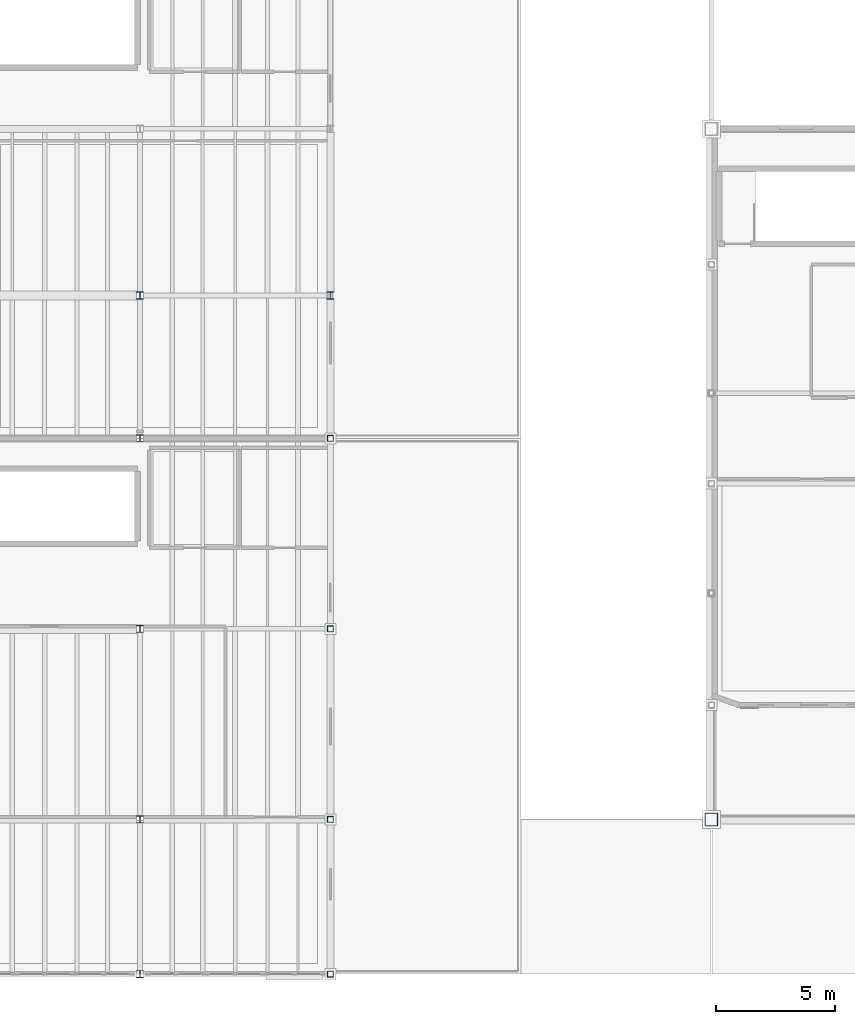
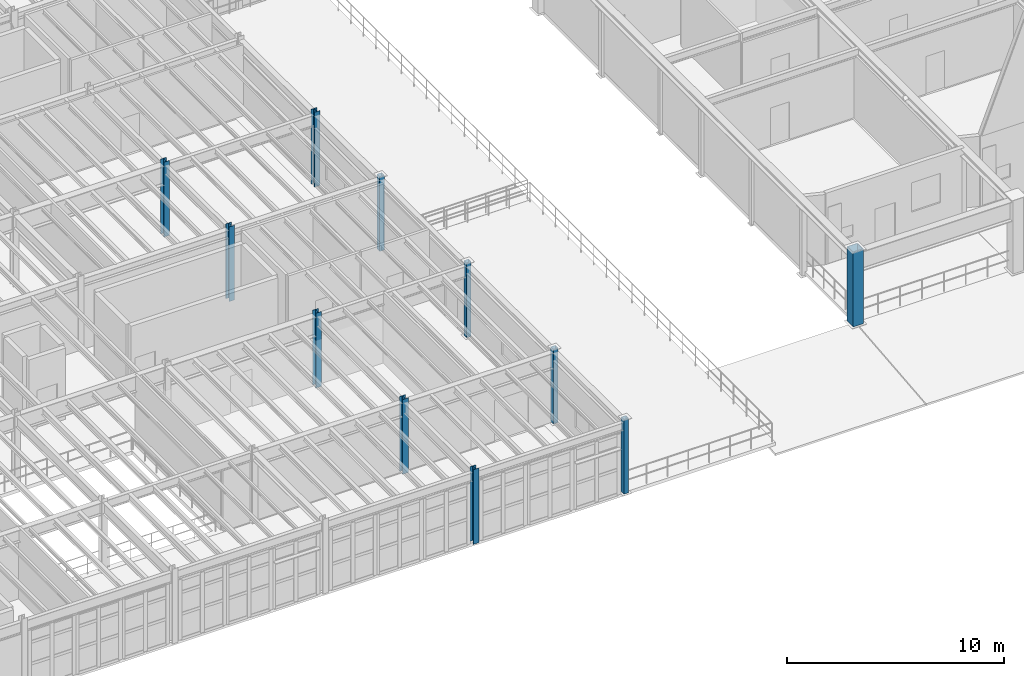
# One storey, part 2 of 78: 11 columns.
"""IFC4 building model written with IfcOpenShell, lengths in metres."""

from ifc_helpers import new_model, si_unit, direction, frame, origin, origin_2d, place, context, subcontext, project, spatial, hollow_rectangle, i_section, extrude, material, material_profile, profile_set, type_object, element, save


model = new_model("IFC4")

# Units and contexts
model_context = context("Model", 3, precision=1e-05, world=origin(), true_north=direction((0.0, 1.0)))
body_context = subcontext(model_context, "Body", "Model", "MODEL_VIEW")
ifc_project = project(units=[si_unit("LENGTHUNIT", "METRE"), si_unit("AREAUNIT", "SQUARE_METRE"), si_unit("VOLUMEUNIT", "CUBIC_METRE"), si_unit("PLANEANGLEUNIT", "RADIAN"), si_unit("MASSUNIT", "GRAM", prefix="KILO"), si_unit("THERMODYNAMICTEMPERATUREUNIT", "KELVIN"), si_unit("POWERUNIT", "WATT")], contexts=[model_context])

# Site, building, storey
site_placement = place(None, origin())
site = spatial("IfcSite", under=ifc_project, at=site_placement, CompositionType="ELEMENT")
building_placement = place(site_placement, origin())
building = spatial("IfcBuilding", under=site, at=building_placement, Name="Zhenchuan Central Fire Station", CompositionType="ELEMENT")
storey_placement = place(building_placement, frame((0.0, 0.0, 5.85009765625)))
storey = spatial("IfcBuildingStorey", under=building, at=storey_placement, Name="L02", CompositionType="ELEMENT", Elevation=5.85009765625)

# Columns
ifc_material = material(Name="Steel Q355B", Category="steel")
ifc_material_profile_1 = material_profile(ifc_material, hollow_rectangle(XDim=0.550048828125, YDim=0.550048828125, WallThickness=0.02587890625, at=origin_2d()), Name="BOX 550x550x26")
ifc_profile_set_1 = profile_set([ifc_material_profile_1], Name="Steel Q355B")
column_type_1 = type_object("IfcColumnType", Name="COL-BOX550", PredefinedType="COLUMN", material=ifc_profile_set_1)
column_1_placement = place(storey_placement, frame((56.0, 6.5, 0.0), z_axis=(0.0, 0.0, 1.0), x_axis=(1.0, 0.0, 0.0)))
element("IfcColumn", 1, at=column_1_placement, inside=storey, type_object=column_type_1, Name="L02 Column 058", PredefinedType="COLUMN", context=body_context, shape_type="SweptSolid", body=[
    extrude(hollow_rectangle(XDim=0.550048828125, YDim=0.550048828125, WallThickness=0.02587890625, at=origin_2d()), origin(), (0.0, 0.0, 1.0), 4.199951171875),
])
ifc_material_profile_2 = material_profile(ifc_material, i_section(OverallWidth=0.300048828125, OverallDepth=0.300048828125, WebThickness=0.010009765625, FlangeThickness=0.014892578125, FilletRadius=0.01806640625, at=origin_2d()), Name="HW 300x300")
ifc_profile_set_2 = profile_set([ifc_material_profile_2], Name="Steel Q355B")
column_type_2 = type_object("IfcColumnType", Name="COL-HW300", PredefinedType="COLUMN", material=ifc_profile_set_2)
column_2_placement = place(storey_placement, frame((32.0, 0.0, 0.0), z_axis=(0.0, 0.0, 1.0), x_axis=(1.0, 0.0, 0.0)))
element("IfcColumn", 2, at=column_2_placement, inside=storey, type_object=column_type_2, Name="L02 Column 037", PredefinedType="COLUMN", context=body_context, shape_type="SweptSolid", body=[
    extrude(i_section(OverallWidth=0.300048828125, OverallDepth=0.300048828125, WebThickness=0.010009765625, FlangeThickness=0.014892578125, FilletRadius=0.01806640625, at=origin_2d()), origin(), (0.0, 0.0, 1.0), 4.199951171875),
])
ifc_material_profile_3 = material_profile(ifc_material, i_section(OverallWidth=0.300048828125, OverallDepth=0.300048828125, WebThickness=0.010009765625, FlangeThickness=0.014892578125, FilletRadius=0.01806640625, at=origin_2d()), Name="HW 300x300")
ifc_profile_set_3 = profile_set([ifc_material_profile_3], Name="Steel Q355B")
column_type_3 = type_object("IfcColumnType", Name="COL-HW300-INT", PredefinedType="COLUMN", material=ifc_profile_set_3)
for number, where, z_axis, x_axis, name in (
    (3, (32.0, 6.5, 0.0), (0.0, 0.0, 1.0), (1.0, 0.0, 0.0), "L02 Column 038"),
    (4, (32.0, 14.5, 0.0), (0.0, 0.0, 1.0), (1.0, 0.0, 0.0), "L02 Column 039"),
    (5, (32.0, 22.5, 0.0), (0.0, 0.0, 1.0), (1.0, 0.0, 0.0), "L02 Column 040"),
    (6, (32.0, 28.5, 0.0), (0.0, 0.0, 1.0), (1.0, 0.0, 0.0), "L02 Column 041"),
    (7, (40.0, 28.5, 0.0), (0.0, 0.0, 1.0), (1.0, 0.0, 0.0), "L02 Column 050"),
):
    element("IfcColumn", number, at=place(storey_placement, frame(where, z_axis=z_axis, x_axis=x_axis)), inside=storey, type_object=column_type_3, Name=name, PredefinedType="COLUMN", context=body_context, shape_type="SweptSolid", body=[
        extrude(i_section(OverallWidth=0.300048828125, OverallDepth=0.300048828125, WebThickness=0.010009765625, FlangeThickness=0.014892578125, FilletRadius=0.01806640625, at=origin_2d()), origin(), (0.0, 0.0, 1.0), 4.199951171875),
    ])
ifc_material_profile_4 = material_profile(ifc_material, hollow_rectangle(XDim=0.25, YDim=0.25, WallThickness=0.011962890625, at=origin_2d()), Name="SHS 250x250x12")
ifc_profile_set_4 = profile_set([ifc_material_profile_4], Name="Steel Q355B")
column_type_4 = type_object("IfcColumnType", Name="COL-SHS250", PredefinedType="COLUMN", material=ifc_profile_set_4)
column_3_placement = place(storey_placement, frame((40.0, 0.0, 0.0), z_axis=(0.0, 0.0, 1.0), x_axis=(1.0, 0.0, 0.0)))
element("IfcColumn", 8, at=column_3_placement, inside=storey, type_object=column_type_4, Name="L02 Column 046", PredefinedType="COLUMN", context=body_context, shape_type="SweptSolid", body=[
    extrude(hollow_rectangle(XDim=0.25, YDim=0.25, WallThickness=0.011962890625, at=origin_2d()), origin(), (0.0, 0.0, 1.0), 4.199951171875),
])
ifc_material_profile_5 = material_profile(ifc_material, hollow_rectangle(XDim=0.25, YDim=0.25, WallThickness=0.011962890625, at=origin_2d()), Name="SHS 250x250x12")
ifc_profile_set_5 = profile_set([ifc_material_profile_5], Name="Steel Q355B")
column_type_5 = type_object("IfcColumnType", Name="COL-SHS250-INT", PredefinedType="COLUMN", material=ifc_profile_set_5)
for number, where, z_axis, x_axis, name in (
    (9, (40.0, 6.5, 0.0), (0.0, 0.0, 1.0), (1.0, 0.0, 0.0), "L02 Column 047"),
    (10, (40.0, 14.5, 0.0), (0.0, 0.0, 1.0), (1.0, 0.0, 0.0), "L02 Column 048"),
    (11, (40.0, 22.5, 0.0), (0.0, 0.0, 1.0), (1.0, 0.0, 0.0), "L02 Column 049"),
):
    element("IfcColumn", number, at=place(storey_placement, frame(where, z_axis=z_axis, x_axis=x_axis)), inside=storey, type_object=column_type_5, Name=name, PredefinedType="COLUMN", context=body_context, shape_type="SweptSolid", body=[
        extrude(hollow_rectangle(XDim=0.25, YDim=0.25, WallThickness=0.011962890625, at=origin_2d()), origin(), (0.0, 0.0, 1.0), 4.199951171875),
    ])

save(model, "model.ifc")
